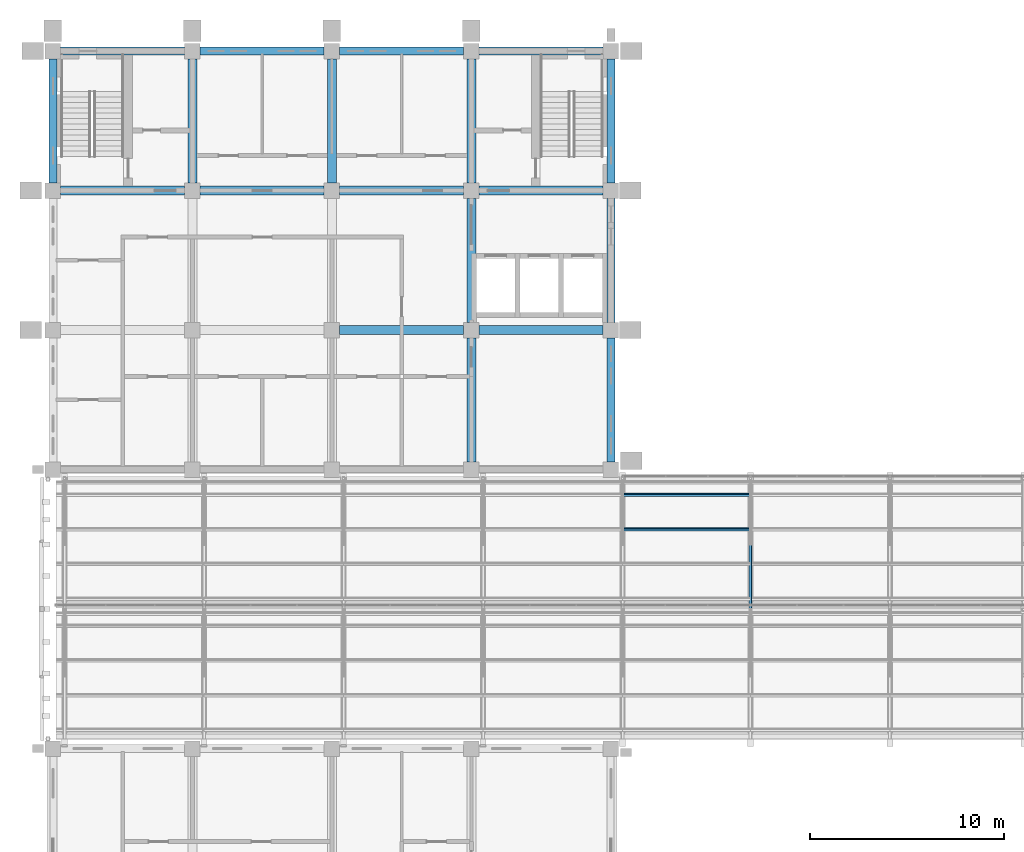
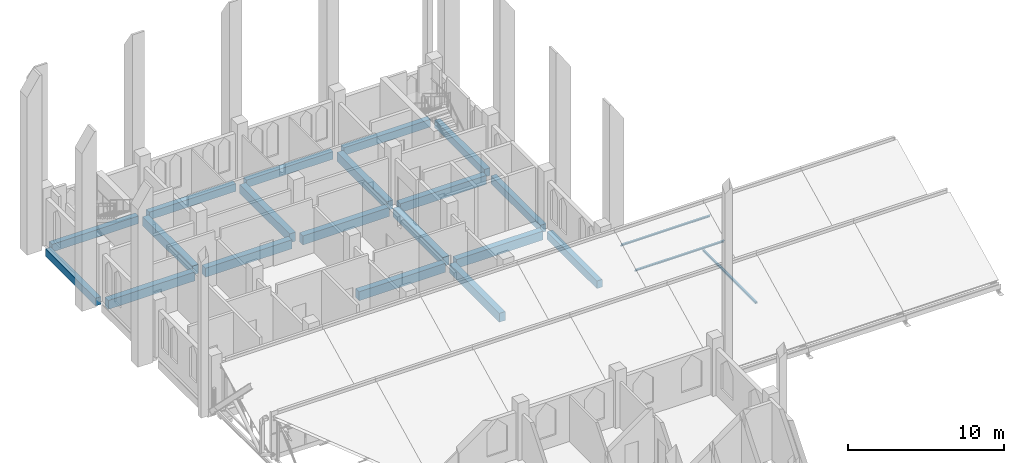
# One storey, part 13 of 29: 19 beams, 3 members.
"""IFC4 building model written with IfcOpenShell, lengths in metres."""

from ifc_helpers import new_model, si_unit, direction, frame, origin, origin_2d, place, context, subcontext, project, spatial, rectangle, hollow_rectangle, i_section, extrude, material, material_profile, profile_set, type_object, element, save


model = new_model("IFC4")

# Units and contexts
model_context = context("Model", 3, precision=1e-05, world=origin(), true_north=direction((0.0, 1.0)))
body_context = subcontext(model_context, "Body", "Model", "MODEL_VIEW")
ifc_project = project(units=[si_unit("LENGTHUNIT", "METRE"), si_unit("AREAUNIT", "SQUARE_METRE"), si_unit("VOLUMEUNIT", "CUBIC_METRE"), si_unit("PLANEANGLEUNIT", "RADIAN"), si_unit("MASSUNIT", "GRAM", prefix="KILO")], contexts=[model_context])

# Site, building, storey
site_placement = place(None, origin())
site = spatial("IfcSite", under=ifc_project, at=site_placement, CompositionType="ELEMENT")
building_placement = place(site_placement, origin())
building = spatial("IfcBuilding", under=site, at=building_placement, Name="Silangan Lancet Faculty of Sciences", CompositionType="ELEMENT")
storey_placement = place(building_placement, frame((0.0, 0.0, 40.800048828125)))
storey = spatial("IfcBuildingStorey", under=building, at=storey_placement, Name="L08", CompositionType="ELEMENT", Elevation=40.800048828125)

# Beams
ifc_material_1 = material(Name="Concrete C40/50", Category="concrete")
ifc_material_profile_1 = material_profile(ifc_material_1, rectangle(XDim=0.39990234375, YDim=0.60009765625, at=origin_2d()), Name="RC 400x600")
ifc_profile_set_1 = profile_set([ifc_material_profile_1], Name="Concrete C40/50")
beam_type_1 = type_object("IfcBeamType", Name="BEAM RC 400x600", PredefinedType="BEAM", material=ifc_profile_set_1)
beam_1_placement = place(storey_placement, frame((0.39990234375, 57.60009765625, -0.550048828125), z_axis=(1.0, 0.0, 0.0), x_axis=(0.0, 1.0, 0.0)))
element("IfcBeam", 1, at=beam_1_placement, inside=storey, type_object=beam_type_1, Name="BM-L08-1I-2I", PredefinedType="BEAM", context=body_context, shape_type="SweptSolid", body=[
    extrude(rectangle(XDim=0.39990234375, YDim=0.60009765625, at=origin_2d()), origin(), (0.0, 0.0, 1.0), 6.400146484375),
])
for number, where, z_axis, x_axis, name in (
    (2, (7.60009765625, 57.60009765625, -0.550048828125), (1.0, 0.0, 0.0), (0.0, 1.0, 0.0), "BM-L08-2I-3I"),
    (3, (14.800048828125, 57.60009765625, -0.550048828125), (1.0, 0.0, 0.0), (0.0, 1.0, 0.0), "BM-L08-3I-4I"),
    (4, (22.0, 57.60009765625, -0.550048828125), (1.0, 0.0, 0.0), (0.0, 1.0, 0.0), "BM-L08-4I-5I"),
    (5, (0.0, 50.800048828125, -0.550048828125), (0.0, 1.0, 0.0), (-1.0, 0.0, 0.0), "BM-L08-1H-1I"),
):
    element("IfcBeam", number, at=place(storey_placement, frame(where, z_axis=z_axis, x_axis=x_axis)), inside=storey, type_object=beam_type_1, Name=name, PredefinedType="BEAM", context=body_context, shape_type="SweptSolid", body=[
        extrude(rectangle(XDim=0.39990234375, YDim=0.60009765625, at=origin_2d()), origin(), (0.0, 0.0, 1.0), 6.39990234375),
    ])
beam_2_placement = place(storey_placement, frame((28.800048828125, 36.39990234375, -0.550048828125), z_axis=(0.0, 1.0, 0.0), x_axis=(-1.0, 0.0, 0.0)))
element("IfcBeam", 6, at=beam_2_placement, inside=storey, type_object=beam_type_1, Name="BM-L08-5F-5G", PredefinedType="BEAM", context=body_context, shape_type="SweptSolid", body=[
    extrude(rectangle(XDim=0.39990234375, YDim=0.60009765625, at=origin_2d()), origin(), (0.0, 0.0, 1.0), 6.400146484375),
])
for number, where, z_axis, x_axis, name in (
    (7, (28.800048828125, 43.60009765625, -0.550048828125), (0.0, 1.0, 0.0), (-1.0, 0.0, 0.0), "BM-L08-5G-5H"),
    (8, (28.800048828125, 50.800048828125, -0.550048828125), (0.0, 1.0, 0.0), (-1.0, 0.0, 0.0), "BM-L08-5H-5I"),
):
    element("IfcBeam", number, at=place(storey_placement, frame(where, z_axis=z_axis, x_axis=x_axis)), inside=storey, type_object=beam_type_1, Name=name, PredefinedType="BEAM", context=body_context, shape_type="SweptSolid", body=[
        extrude(rectangle(XDim=0.39990234375, YDim=0.60009765625, at=origin_2d()), origin(), (0.0, 0.0, 1.0), 6.39990234375),
    ])
ifc_material_2 = material(Name="Concrete C40/50", Category="concrete")
ifc_material_profile_2 = material_profile(ifc_material_2, rectangle(XDim=0.449951171875, YDim=0.699951171875, at=origin_2d()), Name="RC 450x700")
ifc_profile_set_2 = profile_set([ifc_material_profile_2], Name="Concrete C40/50")
beam_type_2 = type_object("IfcBeamType", Name="BEAM RC 450x700", PredefinedType="BEAM", material=ifc_profile_set_2)
for number, where, z_axis, x_axis, name in (
    (9, (14.800048828125, 43.199951171875, -0.60009765625), (1.0, 0.0, 0.0), (0.0, 1.0, 0.0), "BM-L08-3G-4G"),
    (10, (22.0, 43.199951171875, -0.60009765625), (1.0, 0.0, 0.0), (0.0, 1.0, 0.0), "BM-L08-4G-5G"),
):
    element("IfcBeam", number, at=place(storey_placement, frame(where, z_axis=z_axis, x_axis=x_axis)), inside=storey, type_object=beam_type_2, Name=name, PredefinedType="BEAM", context=body_context, shape_type="SweptSolid", body=[
        extrude(rectangle(XDim=0.449951171875, YDim=0.699951171875, at=origin_2d()), origin(), (0.0, 0.0, 1.0), 6.39990234375),
    ])
beam_3_placement = place(storey_placement, frame((0.39990234375, 50.39990234375, -0.60009765625), z_axis=(1.0, 0.0, 0.0), x_axis=(0.0, 1.0, 0.0)))
element("IfcBeam", 11, at=beam_3_placement, inside=storey, type_object=beam_type_2, Name="BM-L08-1H-2H", PredefinedType="BEAM", context=body_context, shape_type="SweptSolid", body=[
    extrude(rectangle(XDim=0.449951171875, YDim=0.699951171875, at=origin_2d()), origin(), (0.0, 0.0, 1.0), 6.400146484375),
])
for number, where, z_axis, x_axis, name in (
    (12, (7.60009765625, 50.39990234375, -0.60009765625), (1.0, 0.0, 0.0), (0.0, 1.0, 0.0), "BM-L08-2H-3H"),
    (13, (14.800048828125, 50.39990234375, -0.60009765625), (1.0, 0.0, 0.0), (0.0, 1.0, 0.0), "BM-L08-3H-4H"),
    (14, (22.0, 50.39990234375, -0.60009765625), (1.0, 0.0, 0.0), (0.0, 1.0, 0.0), "BM-L08-4H-5H"),
    (15, (7.199951171875, 50.800048828125, -0.60009765625), (0.0, 1.0, 0.0), (-1.0, 0.0, 0.0), "BM-L08-2H-2I"),
    (16, (14.39990234375, 50.800048828125, -0.60009765625), (0.0, 1.0, 0.0), (-1.0, 0.0, 0.0), "BM-L08-3H-3I"),
):
    element("IfcBeam", number, at=place(storey_placement, frame(where, z_axis=z_axis, x_axis=x_axis)), inside=storey, type_object=beam_type_2, Name=name, PredefinedType="BEAM", context=body_context, shape_type="SweptSolid", body=[
        extrude(rectangle(XDim=0.449951171875, YDim=0.699951171875, at=origin_2d()), origin(), (0.0, 0.0, 1.0), 6.39990234375),
    ])
beam_4_placement = place(storey_placement, frame((21.60009765625, 36.39990234375, -0.60009765625), z_axis=(0.0, 1.0, 0.0), x_axis=(-1.0, 0.0, 0.0)))
element("IfcBeam", 17, at=beam_4_placement, inside=storey, type_object=beam_type_2, Name="BM-L08-4F-4G", PredefinedType="BEAM", context=body_context, shape_type="SweptSolid", body=[
    extrude(rectangle(XDim=0.449951171875, YDim=0.699951171875, at=origin_2d()), origin(), (0.0, 0.0, 1.0), 6.400146484375),
])
for number, where, z_axis, x_axis, name in (
    (18, (21.60009765625, 43.60009765625, -0.60009765625), (0.0, 1.0, 0.0), (-1.0, 0.0, 0.0), "BM-L08-4G-4H"),
    (19, (21.60009765625, 50.800048828125, -0.60009765625), (0.0, 1.0, 0.0), (-1.0, 0.0, 0.0), "BM-L08-4H-4I"),
):
    element("IfcBeam", number, at=place(storey_placement, frame(where, z_axis=z_axis, x_axis=x_axis)), inside=storey, type_object=beam_type_2, Name=name, PredefinedType="BEAM", context=body_context, shape_type="SweptSolid", body=[
        extrude(rectangle(XDim=0.449951171875, YDim=0.699951171875, at=origin_2d()), origin(), (0.0, 0.0, 1.0), 6.39990234375),
    ])

# Members
ifc_material_3 = material(Name="Steel SS400", Category="steel")
ifc_material_profile_3 = material_profile(ifc_material_3, i_section(OverallWidth=0.10009765625, OverallDepth=0.199951171875, WebThickness=0.005615234375, FlangeThickness=0.008056640625, FilletRadius=0.008056640625, at=origin_2d()), Name="H 200x100x5.5x8")
ifc_profile_set_3 = profile_set([ifc_material_profile_3], Name="Steel SS400")
member_type_1 = type_object("IfcMemberType", Name="Sheeting purlin H 200x100x5.5x8", PredefinedType="PURLIN", material=ifc_profile_set_3)
for number, where, z_axis, x_axis, name in (
    (20, (29.39990234375, 32.91796875, 2.42041015625), (1.0, 0.0, 0.0), (0.0, 0.894427192382, 0.447213592736), "Sheeting purlin ATRIUM-2-5 3"),
    (21, (29.39990234375, 34.706787109375, 3.31494140625), (1.0, 0.0, 0.0), (0.0, 0.894427192382, 0.447213592736), "Sheeting purlin ATRIUM-2-5 4"),
):
    element("IfcMember", number, at=place(storey_placement, frame(where, z_axis=z_axis, x_axis=x_axis)), inside=storey, type_object=member_type_1, Name=name, PredefinedType="PURLIN", context=body_context, shape_type="SweptSolid", body=[
        extrude(i_section(OverallWidth=0.10009765625, OverallDepth=0.199951171875, WebThickness=0.005615234375, FlangeThickness=0.008056640625, FilletRadius=0.008056640625, at=origin_2d()), origin(), (0.0, 0.0, 1.0), 6.60009765625),
    ])
ifc_material_4 = material(Name="Steel STKR400", Category="steel")
ifc_material_profile_4 = material_profile(ifc_material_4, hollow_rectangle(XDim=0.14990234375, YDim=0.14990234375, WallThickness=0.009033203125, InnerFilletRadius=0.009033203125, OuterFilletRadius=0.01806640625, at=origin_2d()), Name="SHS 150x150x9.0")
ifc_profile_set_4 = profile_set([ifc_material_profile_4], Name="Steel STKR400")
member_type_2 = type_object("IfcMemberType", Name="Truss bottom chord SHS 150x150x9.0", PredefinedType="CHORD", material=ifc_profile_set_4)
member_placement = place(storey_placement, frame((36.0, 28.77001953125, 0.094970703125), z_axis=(0.0, 1.0, 0.0), x_axis=(-1.0, 0.0, 0.0)))
element("IfcMember", 22, at=member_placement, inside=storey, type_object=member_type_2, Name="Truss 6 bottom chord 2", PredefinedType="CHORD", context=body_context, shape_type="SweptSolid", body=[
    extrude(hollow_rectangle(XDim=0.14990234375, YDim=0.14990234375, WallThickness=0.009033203125, InnerFilletRadius=0.009033203125, OuterFilletRadius=0.01806640625, at=origin_2d()), origin(), (0.0, 0.0, 1.0), 6.77001953125),
])

save(model, "model.ifc")
